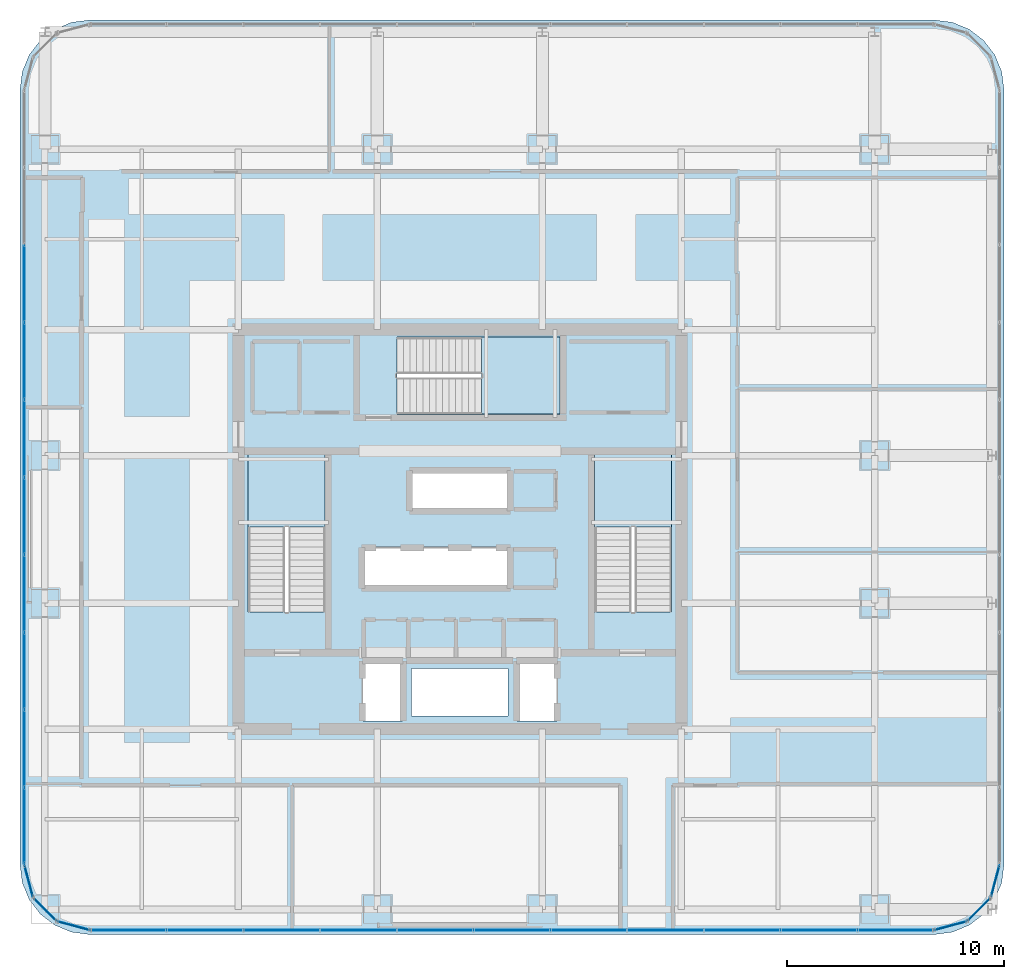
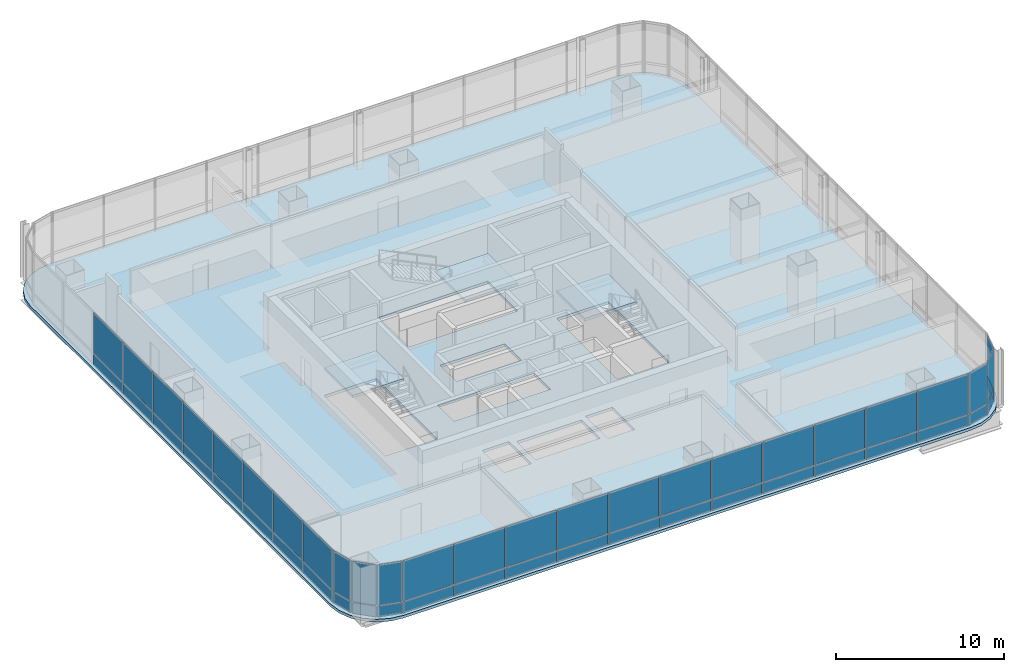
# One storey, part 31 of 42: 50 plates, 4 slabs, 11 elements without a shape of their own.
"""IFC4 building model written with IfcOpenShell, lengths in metres."""

from ifc_helpers import new_model, si_unit, direction, frame, origin, origin_2d, place, context, subcontext, project, spatial, polyline, rectangle, outline, extrude, material, layer, layer_set, type_object, element, aggregate, save


model = new_model("IFC4")

# Units and contexts
model_context = context("Model", 3, precision=1e-05, world=origin(), true_north=direction((0.0, 1.0)))
body_context = subcontext(model_context, "Body", "Model", "MODEL_VIEW")
ifc_project = project(units=[si_unit("LENGTHUNIT", "METRE"), si_unit("AREAUNIT", "SQUARE_METRE"), si_unit("VOLUMEUNIT", "CUBIC_METRE"), si_unit("PLANEANGLEUNIT", "RADIAN"), si_unit("MASSUNIT", "GRAM", prefix="KILO")], contexts=[model_context])

# Site, building, storey
site_placement = place(None, origin())
site = spatial("IfcSite", under=ifc_project, at=site_placement, CompositionType="ELEMENT")
building_placement = place(site_placement, origin())
building = spatial("IfcBuilding", under=site, at=building_placement, Name="Punatoya Terracotta Tower", CompositionType="ELEMENT")
storey_placement = place(building_placement, frame((0.0, 0.0, 263.550048828125)))
storey = spatial("IfcBuildingStorey", under=building, at=storey_placement, Name="L62", CompositionType="ELEMENT", Elevation=263.550048828125)

# Curtain wall, plates
ifc_material_1 = material(Name="Aluminium 6063-T6 + Double Low-E Glass", Category="aluminium")
curtain_wall_type = type_object("IfcCurtainWallType", Name="CW-M3", PredefinedType="NOTDEFINED", material=ifc_material_1)
curtain_wall_1_placement = place(storey_placement, origin())
curtain_wall_1 = element("IfcCurtainWall", 1, at=curtain_wall_1_placement, inside=storey, type_object=curtain_wall_type, Name="L62 Curtain Wall CW-L62-S01-1", PredefinedType="NOTDEFINED")
ifc_material_2 = material(Name="Double Low-E Acoustic Vision Glass", Category="glass")
ifc_layer_1 = layer(ifc_material_2, 0.031982421875)
ifc_layer_set_1 = layer_set([ifc_layer_1], Name="Double Low-E Acoustic Vision Glass")
plate_type_1 = type_object("IfcPlateType", Name="PLT-GLZ-32", PredefinedType="CURTAIN_PANEL", material=ifc_layer_set_1)
plate_1_placement = place(storey_placement, frame((-15.27001953125, -18.449951171875, 0.889892578125), z_axis=(0.0, 0.0, 1.0), x_axis=(1.0, 0.0, 0.0)))
plate_1 = element("IfcPlate", 2, at=plate_1_placement, type_object=plate_type_1, Name="CW-L62-S01-1 Vision Glass Panel 1", PredefinedType="CURTAIN_PANEL", context=body_context, shape_type="SweptSolid", body=[
    extrude(rectangle(XDim=3.448974609375, YDim=0.031982421875, at=origin_2d()), origin(), (0.0, 0.0, 1.0), 2.919921875),
])
plate_2_placement = place(storey_placement, frame((-11.73583984375, -18.449951171875, 0.889892578125), z_axis=(0.0, 0.0, 1.0), x_axis=(1.0, 0.0, 0.0)))
plate_2 = element("IfcPlate", 3, at=plate_2_placement, type_object=plate_type_1, Name="CW-L62-S01-1 Vision Glass Panel 2", PredefinedType="CURTAIN_PANEL", context=body_context, shape_type="SweptSolid", body=[
    extrude(rectangle(XDim=3.448974609375, YDim=0.031982421875, at=origin_2d()), origin(), (0.0, 0.0, 1.0), 2.919921875),
])
plate_3_placement = place(storey_placement, frame((-8.201904296875, -18.449951171875, 0.889892578125), z_axis=(0.0, 0.0, 1.0), x_axis=(1.0, 0.0, 0.0)))
plate_3 = element("IfcPlate", 4, at=plate_3_placement, type_object=plate_type_1, Name="CW-L62-S01-1 Vision Glass Panel 3", PredefinedType="CURTAIN_PANEL", context=body_context, shape_type="SweptSolid", body=[
    extrude(rectangle(XDim=3.448974609375, YDim=0.031982421875, at=origin_2d()), origin(), (0.0, 0.0, 1.0), 2.919921875),
])
plate_4_placement = place(storey_placement, frame((-4.66796875, -18.449951171875, 0.889892578125), z_axis=(0.0, 0.0, 1.0), x_axis=(1.0, 0.0, 0.0)))
plate_4 = element("IfcPlate", 5, at=plate_4_placement, type_object=plate_type_1, Name="CW-L62-S01-1 Vision Glass Panel 4", PredefinedType="CURTAIN_PANEL", context=body_context, shape_type="SweptSolid", body=[
    extrude(rectangle(XDim=3.448974609375, YDim=0.031982421875, at=origin_2d()), origin(), (0.0, 0.0, 1.0), 2.919921875),
])
plate_5_placement = place(storey_placement, frame((-1.134033203125, -18.449951171875, 0.889892578125), z_axis=(0.0, 0.0, 1.0), x_axis=(1.0, 0.0, 0.0)))
plate_5 = element("IfcPlate", 6, at=plate_5_placement, type_object=plate_type_1, Name="CW-L62-S01-1 Vision Glass Panel 5", PredefinedType="CURTAIN_PANEL", context=body_context, shape_type="SweptSolid", body=[
    extrude(rectangle(XDim=3.448974609375, YDim=0.031982421875, at=origin_2d()), origin(), (0.0, 0.0, 1.0), 2.919921875),
])
plate_6_placement = place(storey_placement, frame((2.39990234375, -18.449951171875, 0.889892578125), z_axis=(0.0, 0.0, 1.0), x_axis=(1.0, 0.0, 0.0)))
plate_6 = element("IfcPlate", 7, at=plate_6_placement, type_object=plate_type_1, Name="CW-L62-S01-1 Vision Glass Panel 6", PredefinedType="CURTAIN_PANEL", context=body_context, shape_type="SweptSolid", body=[
    extrude(rectangle(XDim=3.448974609375, YDim=0.031982421875, at=origin_2d()), origin(), (0.0, 0.0, 1.0), 2.919921875),
])
plate_7_placement = place(storey_placement, frame((5.93408203125, -18.449951171875, 0.889892578125), z_axis=(0.0, 0.0, 1.0), x_axis=(1.0, 0.0, 0.0)))
plate_7 = element("IfcPlate", 8, at=plate_7_placement, type_object=plate_type_1, Name="CW-L62-S01-1 Vision Glass Panel 7", PredefinedType="CURTAIN_PANEL", context=body_context, shape_type="SweptSolid", body=[
    extrude(rectangle(XDim=3.448974609375, YDim=0.031982421875, at=origin_2d()), origin(), (0.0, 0.0, 1.0), 2.919921875),
])
plate_8_placement = place(storey_placement, frame((9.468017578125, -18.449951171875, 0.889892578125), z_axis=(0.0, 0.0, 1.0), x_axis=(1.0, 0.0, 0.0)))
plate_8 = element("IfcPlate", 9, at=plate_8_placement, type_object=plate_type_1, Name="CW-L62-S01-1 Vision Glass Panel 8", PredefinedType="CURTAIN_PANEL", context=body_context, shape_type="SweptSolid", body=[
    extrude(rectangle(XDim=3.448974609375, YDim=0.031982421875, at=origin_2d()), origin(), (0.0, 0.0, 1.0), 2.919921875),
])
plate_9_placement = place(storey_placement, frame((13.001953125, -18.449951171875, 0.889892578125), z_axis=(0.0, 0.0, 1.0), x_axis=(1.0, 0.0, 0.0)))
plate_9 = element("IfcPlate", 10, at=plate_9_placement, type_object=plate_type_1, Name="CW-L62-S01-1 Vision Glass Panel 9", PredefinedType="CURTAIN_PANEL", context=body_context, shape_type="SweptSolid", body=[
    extrude(rectangle(XDim=3.448974609375, YDim=0.031982421875, at=origin_2d()), origin(), (0.0, 0.0, 1.0), 2.919921875),
])
plate_10_placement = place(storey_placement, frame((16.535888671875, -18.449951171875, 0.889892578125), z_axis=(0.0, 0.0, 1.0), x_axis=(1.0, 0.0, 0.0)))
plate_10 = element("IfcPlate", 11, at=plate_10_placement, type_object=plate_type_1, Name="CW-L62-S01-1 Vision Glass Panel 10", PredefinedType="CURTAIN_PANEL", context=body_context, shape_type="SweptSolid", body=[
    extrude(rectangle(XDim=3.448974609375, YDim=0.031982421875, at=origin_2d()), origin(), (0.0, 0.0, 1.0), 2.919921875),
])
plate_11_placement = place(storey_placement, frame((20.06982421875, -18.449951171875, 0.889892578125), z_axis=(0.0, 0.0, 1.0), x_axis=(1.0, 0.0, 0.0)))
plate_11 = element("IfcPlate", 12, at=plate_11_placement, type_object=plate_type_1, Name="CW-L62-S01-1 Vision Glass Panel 11", PredefinedType="CURTAIN_PANEL", context=body_context, shape_type="SweptSolid", body=[
    extrude(rectangle(XDim=3.448974609375, YDim=0.031982421875, at=origin_2d()), origin(), (0.0, 0.0, 1.0), 2.919921875),
])

# Curtain wall, plate
curtain_wall_2_placement = place(storey_placement, origin())
curtain_wall_2 = element("IfcCurtainWall", 13, at=curtain_wall_2_placement, inside=storey, type_object=curtain_wall_type, Name="L62 Curtain Wall CW-L62-CRN02", PredefinedType="NOTDEFINED")
plate_12_placement = place(storey_placement, frame((22.593017578125, -18.248291015625, 0.889892578125), z_axis=(0.0, 0.0, 1.0), x_axis=(0.966213877436, 0.257741620719, 0.0)))
plate_12 = element("IfcPlate", 14, at=plate_12_placement, type_object=plate_type_1, Name="CW-L62-CRN02 Vision Glass Panel 1", PredefinedType="CURTAIN_PANEL", context=body_context, shape_type="SweptSolid", body=[
    extrude(rectangle(XDim=1.47998046875, YDim=0.031982421875, at=origin_2d()), origin(), (0.0, 0.0, 1.0), 2.919921875),
])

curtain_wall_3_placement = place(storey_placement, origin())
curtain_wall_3 = element("IfcCurtainWall", 15, at=curtain_wall_3_placement, inside=storey, type_object=curtain_wall_type, Name="L62 Curtain Wall CW-L62-CRN03", PredefinedType="NOTDEFINED")
plate_13_placement = place(storey_placement, frame((23.89794921875, -17.497802734375, 0.889892578125), z_axis=(0.0, 0.0, 1.0), x_axis=(0.707106781187, 0.707106781187, 0.0)))
plate_13 = element("IfcPlate", 16, at=plate_13_placement, type_object=plate_type_1, Name="CW-L62-CRN03 Vision Glass Panel 1", PredefinedType="CURTAIN_PANEL", context=body_context, shape_type="SweptSolid", body=[
    extrude(rectangle(XDim=1.467041015625, YDim=0.031982421875, at=origin_2d()), origin(), (0.0, 0.0, 1.0), 2.919921875),
])

curtain_wall_4_placement = place(storey_placement, origin())
curtain_wall_4 = element("IfcCurtainWall", 17, at=curtain_wall_4_placement, inside=storey, type_object=curtain_wall_type, Name="L62 Curtain Wall CW-L62-CRN04", PredefinedType="NOTDEFINED")
plate_14_placement = place(storey_placement, frame((24.648193359375, -16.193115234375, 0.889892578125), z_axis=(0.0, 0.0, 1.0), x_axis=(0.257741620719, 0.966213877436, 0.0)))
plate_14 = element("IfcPlate", 18, at=plate_14_placement, type_object=plate_type_1, Name="CW-L62-CRN04 Vision Glass Panel 1", PredefinedType="CURTAIN_PANEL", context=body_context, shape_type="SweptSolid", body=[
    extrude(rectangle(XDim=1.47998046875, YDim=0.031982421875, at=origin_2d()), origin(), (0.0, 0.0, 1.0), 2.919921875),
])

# Curtain wall, plates
curtain_wall_5_placement = place(storey_placement, origin())
curtain_wall_5 = element("IfcCurtainWall", 19, at=curtain_wall_5_placement, inside=storey, type_object=curtain_wall_type, Name="L62 Curtain Wall CW-L62-W13-1", PredefinedType="NOTDEFINED")
plate_15_placement = place(storey_placement, frame((-20.050048828125, 11.318359375, 0.889892578125), z_axis=(0.0, 0.0, 1.0), x_axis=(0.0, -1.0, 0.0)))
plate_15 = element("IfcPlate", 20, at=plate_15_placement, type_object=plate_type_1, Name="CW-L62-W13-1 Vision Glass Panel 3", PredefinedType="CURTAIN_PANEL", context=body_context, shape_type="SweptSolid", body=[
    extrude(rectangle(XDim=3.482421875, YDim=0.031982421875, at=origin_2d()), origin(), (0.0, 0.0, 1.0), 2.919921875),
])
plate_16_placement = place(storey_placement, frame((-20.050048828125, 7.751220703125, 0.889892578125), z_axis=(0.0, 0.0, 1.0), x_axis=(0.0, -1.0, 0.0)))
plate_16 = element("IfcPlate", 21, at=plate_16_placement, type_object=plate_type_1, Name="CW-L62-W13-1 Vision Glass Panel 4", PredefinedType="CURTAIN_PANEL", context=body_context, shape_type="SweptSolid", body=[
    extrude(rectangle(XDim=3.482421875, YDim=0.031982421875, at=origin_2d()), origin(), (0.0, 0.0, 1.0), 2.919921875),
])
plate_17_placement = place(storey_placement, frame((-20.050048828125, 4.18359375, 0.889892578125), z_axis=(0.0, 0.0, 1.0), x_axis=(0.0, -1.0, 0.0)))
plate_17 = element("IfcPlate", 22, at=plate_17_placement, type_object=plate_type_1, Name="CW-L62-W13-1 Vision Glass Panel 5", PredefinedType="CURTAIN_PANEL", context=body_context, shape_type="SweptSolid", body=[
    extrude(rectangle(XDim=3.482421875, YDim=0.031982421875, at=origin_2d()), origin(), (0.0, 0.0, 1.0), 2.919921875),
])
plate_18_placement = place(storey_placement, frame((-20.050048828125, 0.6162109375, 0.889892578125), z_axis=(0.0, 0.0, 1.0), x_axis=(0.0, -1.0, 0.0)))
plate_18 = element("IfcPlate", 23, at=plate_18_placement, type_object=plate_type_1, Name="CW-L62-W13-1 Vision Glass Panel 6", PredefinedType="CURTAIN_PANEL", context=body_context, shape_type="SweptSolid", body=[
    extrude(rectangle(XDim=3.482421875, YDim=0.031982421875, at=origin_2d()), origin(), (0.0, 0.0, 1.0), 2.919921875),
])
plate_19_placement = place(storey_placement, frame((-20.050048828125, -2.951171875, 0.889892578125), z_axis=(0.0, 0.0, 1.0), x_axis=(0.0, -1.0, 0.0)))
plate_19 = element("IfcPlate", 24, at=plate_19_placement, type_object=plate_type_1, Name="CW-L62-W13-1 Vision Glass Panel 7", PredefinedType="CURTAIN_PANEL", context=body_context, shape_type="SweptSolid", body=[
    extrude(rectangle(XDim=3.482421875, YDim=0.031982421875, at=origin_2d()), origin(), (0.0, 0.0, 1.0), 2.919921875),
])
plate_20_placement = place(storey_placement, frame((-20.050048828125, -6.518310546875, 0.889892578125), z_axis=(0.0, 0.0, 1.0), x_axis=(0.0, -1.0, 0.0)))
plate_20 = element("IfcPlate", 25, at=plate_20_placement, type_object=plate_type_1, Name="CW-L62-W13-1 Vision Glass Panel 8", PredefinedType="CURTAIN_PANEL", context=body_context, shape_type="SweptSolid", body=[
    extrude(rectangle(XDim=3.482421875, YDim=0.031982421875, at=origin_2d()), origin(), (0.0, 0.0, 1.0), 2.919921875),
])
plate_21_placement = place(storey_placement, frame((-20.050048828125, -10.085693359375, 0.889892578125), z_axis=(0.0, 0.0, 1.0), x_axis=(0.0, -1.0, 0.0)))
plate_21 = element("IfcPlate", 26, at=plate_21_placement, type_object=plate_type_1, Name="CW-L62-W13-1 Vision Glass Panel 9", PredefinedType="CURTAIN_PANEL", context=body_context, shape_type="SweptSolid", body=[
    extrude(rectangle(XDim=3.482421875, YDim=0.031982421875, at=origin_2d()), origin(), (0.0, 0.0, 1.0), 2.919921875),
])
plate_22_placement = place(storey_placement, frame((-20.050048828125, -13.6533203125, 0.889892578125), z_axis=(0.0, 0.0, 1.0), x_axis=(0.0, -1.0, 0.0)))
plate_22 = element("IfcPlate", 27, at=plate_22_placement, type_object=plate_type_1, Name="CW-L62-W13-1 Vision Glass Panel 10", PredefinedType="CURTAIN_PANEL", context=body_context, shape_type="SweptSolid", body=[
    extrude(rectangle(XDim=3.482421875, YDim=0.031982421875, at=origin_2d()), origin(), (0.0, 0.0, 1.0), 2.919921875),
])

# Curtain wall, plate
curtain_wall_6_placement = place(storey_placement, origin())
curtain_wall_6 = element("IfcCurtainWall", 28, at=curtain_wall_6_placement, inside=storey, type_object=curtain_wall_type, Name="L62 Curtain Wall CW-L62-CRN14", PredefinedType="NOTDEFINED")
plate_23_placement = place(storey_placement, frame((-19.848388671875, -16.193115234375, 0.889892578125), z_axis=(0.0, 0.0, 1.0), x_axis=(0.257741620719, -0.966213877436, 0.0)))
plate_23 = element("IfcPlate", 29, at=plate_23_placement, type_object=plate_type_1, Name="CW-L62-CRN14 Vision Glass Panel 1", PredefinedType="CURTAIN_PANEL", context=body_context, shape_type="SweptSolid", body=[
    extrude(rectangle(XDim=1.47998046875, YDim=0.031982421875, at=origin_2d()), origin(), (0.0, 0.0, 1.0), 2.919921875),
])

curtain_wall_7_placement = place(storey_placement, origin())
curtain_wall_7 = element("IfcCurtainWall", 30, at=curtain_wall_7_placement, inside=storey, type_object=curtain_wall_type, Name="L62 Curtain Wall CW-L62-CRN15", PredefinedType="NOTDEFINED")
plate_24_placement = place(storey_placement, frame((-19.097900390625, -17.497802734375, 0.889892578125), z_axis=(0.0, 0.0, 1.0), x_axis=(0.707106781187, -0.707106781187, 0.0)))
plate_24 = element("IfcPlate", 31, at=plate_24_placement, type_object=plate_type_1, Name="CW-L62-CRN15 Vision Glass Panel 1", PredefinedType="CURTAIN_PANEL", context=body_context, shape_type="SweptSolid", body=[
    extrude(rectangle(XDim=1.467041015625, YDim=0.031982421875, at=origin_2d()), origin(), (0.0, 0.0, 1.0), 2.919921875),
])

curtain_wall_8_placement = place(storey_placement, origin())
curtain_wall_8 = element("IfcCurtainWall", 32, at=curtain_wall_8_placement, inside=storey, type_object=curtain_wall_type, Name="L62 Curtain Wall CW-L62-CRN16", PredefinedType="NOTDEFINED")
plate_25_placement = place(storey_placement, frame((-17.79296875, -18.248291015625, 0.889892578125), z_axis=(0.0, 0.0, 1.0), x_axis=(0.966213877436, -0.257741620719, 0.0)))
plate_25 = element("IfcPlate", 33, at=plate_25_placement, type_object=plate_type_1, Name="CW-L62-CRN16 Vision Glass Panel 1", PredefinedType="CURTAIN_PANEL", context=body_context, shape_type="SweptSolid", body=[
    extrude(rectangle(XDim=1.47998046875, YDim=0.031982421875, at=origin_2d()), origin(), (0.0, 0.0, 1.0), 2.919921875),
])

# Plate
ifc_material_3 = material(Name="Insulated Terracotta-Backed Spandrel Panel", Category="masonry")
ifc_layer_2 = layer(ifc_material_3, 0.044921875)
ifc_layer_set_2 = layer_set([ifc_layer_2], Name="Insulated Terracotta-Backed Spandrel Panel")
plate_type_2 = type_object("IfcPlateType", Name="PLT-SPN-45", PredefinedType="CURTAIN_PANEL", material=ifc_layer_set_2)
plate_26_placement = place(storey_placement, frame((-15.27001953125, -18.449951171875, 0.0400390625), z_axis=(0.0, 0.0, 1.0), x_axis=(1.0, 0.0, 0.0)))
plate_26 = element("IfcPlate", 34, at=plate_26_placement, type_object=plate_type_2, Name="CW-L62-S01-1 Terracotta Spandrel Panel 1", PredefinedType="CURTAIN_PANEL", context=body_context, shape_type="SweptSolid", body=[
    extrude(rectangle(XDim=3.448974609375, YDim=0.044921875, at=origin_2d()), origin(), (0.0, 0.0, 1.0), 0.77490234375),
])

plate_27_placement = place(storey_placement, frame((-11.73583984375, -18.449951171875, 0.0400390625), z_axis=(0.0, 0.0, 1.0), x_axis=(1.0, 0.0, 0.0)))
plate_27 = element("IfcPlate", 35, at=plate_27_placement, type_object=plate_type_2, Name="CW-L62-S01-1 Terracotta Spandrel Panel 2", PredefinedType="CURTAIN_PANEL", context=body_context, shape_type="SweptSolid", body=[
    extrude(rectangle(XDim=3.448974609375, YDim=0.044921875, at=origin_2d()), origin(), (0.0, 0.0, 1.0), 0.77490234375),
])

plate_28_placement = place(storey_placement, frame((-8.201904296875, -18.449951171875, 0.0400390625), z_axis=(0.0, 0.0, 1.0), x_axis=(1.0, 0.0, 0.0)))
plate_28 = element("IfcPlate", 36, at=plate_28_placement, type_object=plate_type_2, Name="CW-L62-S01-1 Terracotta Spandrel Panel 3", PredefinedType="CURTAIN_PANEL", context=body_context, shape_type="SweptSolid", body=[
    extrude(rectangle(XDim=3.448974609375, YDim=0.044921875, at=origin_2d()), origin(), (0.0, 0.0, 1.0), 0.77490234375),
])

plate_29_placement = place(storey_placement, frame((-4.66796875, -18.449951171875, 0.0400390625), z_axis=(0.0, 0.0, 1.0), x_axis=(1.0, 0.0, 0.0)))
plate_29 = element("IfcPlate", 37, at=plate_29_placement, type_object=plate_type_2, Name="CW-L62-S01-1 Terracotta Spandrel Panel 4", PredefinedType="CURTAIN_PANEL", context=body_context, shape_type="SweptSolid", body=[
    extrude(rectangle(XDim=3.448974609375, YDim=0.044921875, at=origin_2d()), origin(), (0.0, 0.0, 1.0), 0.77490234375),
])

plate_30_placement = place(storey_placement, frame((-1.134033203125, -18.449951171875, 0.0400390625), z_axis=(0.0, 0.0, 1.0), x_axis=(1.0, 0.0, 0.0)))
plate_30 = element("IfcPlate", 38, at=plate_30_placement, type_object=plate_type_2, Name="CW-L62-S01-1 Terracotta Spandrel Panel 5", PredefinedType="CURTAIN_PANEL", context=body_context, shape_type="SweptSolid", body=[
    extrude(rectangle(XDim=3.448974609375, YDim=0.044921875, at=origin_2d()), origin(), (0.0, 0.0, 1.0), 0.77490234375),
])

plate_31_placement = place(storey_placement, frame((2.39990234375, -18.449951171875, 0.0400390625), z_axis=(0.0, 0.0, 1.0), x_axis=(1.0, 0.0, 0.0)))
plate_31 = element("IfcPlate", 39, at=plate_31_placement, type_object=plate_type_2, Name="CW-L62-S01-1 Terracotta Spandrel Panel 6", PredefinedType="CURTAIN_PANEL", context=body_context, shape_type="SweptSolid", body=[
    extrude(rectangle(XDim=3.448974609375, YDim=0.044921875, at=origin_2d()), origin(), (0.0, 0.0, 1.0), 0.77490234375),
])

plate_32_placement = place(storey_placement, frame((5.93408203125, -18.449951171875, 0.0400390625), z_axis=(0.0, 0.0, 1.0), x_axis=(1.0, 0.0, 0.0)))
plate_32 = element("IfcPlate", 40, at=plate_32_placement, type_object=plate_type_2, Name="CW-L62-S01-1 Terracotta Spandrel Panel 7", PredefinedType="CURTAIN_PANEL", context=body_context, shape_type="SweptSolid", body=[
    extrude(rectangle(XDim=3.448974609375, YDim=0.044921875, at=origin_2d()), origin(), (0.0, 0.0, 1.0), 0.77490234375),
])

plate_33_placement = place(storey_placement, frame((9.468017578125, -18.449951171875, 0.0400390625), z_axis=(0.0, 0.0, 1.0), x_axis=(1.0, 0.0, 0.0)))
plate_33 = element("IfcPlate", 41, at=plate_33_placement, type_object=plate_type_2, Name="CW-L62-S01-1 Terracotta Spandrel Panel 8", PredefinedType="CURTAIN_PANEL", context=body_context, shape_type="SweptSolid", body=[
    extrude(rectangle(XDim=3.448974609375, YDim=0.044921875, at=origin_2d()), origin(), (0.0, 0.0, 1.0), 0.77490234375),
])

plate_34_placement = place(storey_placement, frame((13.001953125, -18.449951171875, 0.0400390625), z_axis=(0.0, 0.0, 1.0), x_axis=(1.0, 0.0, 0.0)))
plate_34 = element("IfcPlate", 42, at=plate_34_placement, type_object=plate_type_2, Name="CW-L62-S01-1 Terracotta Spandrel Panel 9", PredefinedType="CURTAIN_PANEL", context=body_context, shape_type="SweptSolid", body=[
    extrude(rectangle(XDim=3.448974609375, YDim=0.044921875, at=origin_2d()), origin(), (0.0, 0.0, 1.0), 0.77490234375),
])

plate_35_placement = place(storey_placement, frame((16.535888671875, -18.449951171875, 0.0400390625), z_axis=(0.0, 0.0, 1.0), x_axis=(1.0, 0.0, 0.0)))
plate_35 = element("IfcPlate", 43, at=plate_35_placement, type_object=plate_type_2, Name="CW-L62-S01-1 Terracotta Spandrel Panel 10", PredefinedType="CURTAIN_PANEL", context=body_context, shape_type="SweptSolid", body=[
    extrude(rectangle(XDim=3.448974609375, YDim=0.044921875, at=origin_2d()), origin(), (0.0, 0.0, 1.0), 0.77490234375),
])

plate_36_placement = place(storey_placement, frame((20.06982421875, -18.449951171875, 0.0400390625), z_axis=(0.0, 0.0, 1.0), x_axis=(1.0, 0.0, 0.0)))
plate_36 = element("IfcPlate", 44, at=plate_36_placement, type_object=plate_type_2, Name="CW-L62-S01-1 Terracotta Spandrel Panel 11", PredefinedType="CURTAIN_PANEL", context=body_context, shape_type="SweptSolid", body=[
    extrude(rectangle(XDim=3.448974609375, YDim=0.044921875, at=origin_2d()), origin(), (0.0, 0.0, 1.0), 0.77490234375),
])

aggregate(curtain_wall_1, [plate_26, plate_1, plate_27, plate_2, plate_28, plate_3, plate_29, plate_4, plate_30, plate_5, plate_31, plate_6, plate_32, plate_7, plate_33, plate_8, plate_34, plate_9, plate_35, plate_10, plate_36, plate_11])

plate_37_placement = place(storey_placement, frame((22.593017578125, -18.248291015625, 0.0400390625), z_axis=(0.0, 0.0, 1.0), x_axis=(0.966213877436, 0.257741620719, 0.0)))
plate_37 = element("IfcPlate", 45, at=plate_37_placement, type_object=plate_type_2, Name="CW-L62-CRN02 Terracotta Spandrel Panel 1", PredefinedType="CURTAIN_PANEL", context=body_context, shape_type="SweptSolid", body=[
    extrude(rectangle(XDim=1.47998046875, YDim=0.044921875, at=origin_2d()), origin(), (0.0, 0.0, 1.0), 0.77490234375),
])

aggregate(curtain_wall_2, [plate_37, plate_12])

plate_38_placement = place(storey_placement, frame((23.89794921875, -17.497802734375, 0.0400390625), z_axis=(0.0, 0.0, 1.0), x_axis=(0.707106781187, 0.707106781187, 0.0)))
plate_38 = element("IfcPlate", 46, at=plate_38_placement, type_object=plate_type_2, Name="CW-L62-CRN03 Terracotta Spandrel Panel 1", PredefinedType="CURTAIN_PANEL", context=body_context, shape_type="SweptSolid", body=[
    extrude(rectangle(XDim=1.467041015625, YDim=0.044921875, at=origin_2d()), origin(), (0.0, 0.0, 1.0), 0.77490234375),
])

aggregate(curtain_wall_3, [plate_38, plate_13])

plate_39_placement = place(storey_placement, frame((24.648193359375, -16.193115234375, 0.0400390625), z_axis=(0.0, 0.0, 1.0), x_axis=(0.257741620719, 0.966213877436, 0.0)))
plate_39 = element("IfcPlate", 47, at=plate_39_placement, type_object=plate_type_2, Name="CW-L62-CRN04 Terracotta Spandrel Panel 1", PredefinedType="CURTAIN_PANEL", context=body_context, shape_type="SweptSolid", body=[
    extrude(rectangle(XDim=1.47998046875, YDim=0.044921875, at=origin_2d()), origin(), (0.0, 0.0, 1.0), 0.77490234375),
])

aggregate(curtain_wall_4, [plate_39, plate_14])

plate_40_placement = place(storey_placement, frame((-20.050048828125, 11.318359375, 0.0400390625), z_axis=(0.0, 0.0, 1.0), x_axis=(0.0, -1.0, 0.0)))
plate_40 = element("IfcPlate", 48, at=plate_40_placement, type_object=plate_type_2, Name="CW-L62-W13-1 Terracotta Spandrel Panel 3", PredefinedType="CURTAIN_PANEL", context=body_context, shape_type="SweptSolid", body=[
    extrude(rectangle(XDim=3.482421875, YDim=0.044921875, at=origin_2d()), origin(), (0.0, 0.0, 1.0), 0.77490234375),
])

plate_41_placement = place(storey_placement, frame((-20.050048828125, 7.751220703125, 0.0400390625), z_axis=(0.0, 0.0, 1.0), x_axis=(0.0, -1.0, 0.0)))
plate_41 = element("IfcPlate", 49, at=plate_41_placement, type_object=plate_type_2, Name="CW-L62-W13-1 Terracotta Spandrel Panel 4", PredefinedType="CURTAIN_PANEL", context=body_context, shape_type="SweptSolid", body=[
    extrude(rectangle(XDim=3.482421875, YDim=0.044921875, at=origin_2d()), origin(), (0.0, 0.0, 1.0), 0.77490234375),
])

plate_42_placement = place(storey_placement, frame((-20.050048828125, 4.18359375, 0.0400390625), z_axis=(0.0, 0.0, 1.0), x_axis=(0.0, -1.0, 0.0)))
plate_42 = element("IfcPlate", 50, at=plate_42_placement, type_object=plate_type_2, Name="CW-L62-W13-1 Terracotta Spandrel Panel 5", PredefinedType="CURTAIN_PANEL", context=body_context, shape_type="SweptSolid", body=[
    extrude(rectangle(XDim=3.482421875, YDim=0.044921875, at=origin_2d()), origin(), (0.0, 0.0, 1.0), 0.77490234375),
])

plate_43_placement = place(storey_placement, frame((-20.050048828125, 0.6162109375, 0.0400390625), z_axis=(0.0, 0.0, 1.0), x_axis=(0.0, -1.0, 0.0)))
plate_43 = element("IfcPlate", 51, at=plate_43_placement, type_object=plate_type_2, Name="CW-L62-W13-1 Terracotta Spandrel Panel 6", PredefinedType="CURTAIN_PANEL", context=body_context, shape_type="SweptSolid", body=[
    extrude(rectangle(XDim=3.482421875, YDim=0.044921875, at=origin_2d()), origin(), (0.0, 0.0, 1.0), 0.77490234375),
])

plate_44_placement = place(storey_placement, frame((-20.050048828125, -2.951171875, 0.0400390625), z_axis=(0.0, 0.0, 1.0), x_axis=(0.0, -1.0, 0.0)))
plate_44 = element("IfcPlate", 52, at=plate_44_placement, type_object=plate_type_2, Name="CW-L62-W13-1 Terracotta Spandrel Panel 7", PredefinedType="CURTAIN_PANEL", context=body_context, shape_type="SweptSolid", body=[
    extrude(rectangle(XDim=3.482421875, YDim=0.044921875, at=origin_2d()), origin(), (0.0, 0.0, 1.0), 0.77490234375),
])

plate_45_placement = place(storey_placement, frame((-20.050048828125, -6.518310546875, 0.0400390625), z_axis=(0.0, 0.0, 1.0), x_axis=(0.0, -1.0, 0.0)))
plate_45 = element("IfcPlate", 53, at=plate_45_placement, type_object=plate_type_2, Name="CW-L62-W13-1 Terracotta Spandrel Panel 8", PredefinedType="CURTAIN_PANEL", context=body_context, shape_type="SweptSolid", body=[
    extrude(rectangle(XDim=3.482421875, YDim=0.044921875, at=origin_2d()), origin(), (0.0, 0.0, 1.0), 0.77490234375),
])

plate_46_placement = place(storey_placement, frame((-20.050048828125, -10.085693359375, 0.0400390625), z_axis=(0.0, 0.0, 1.0), x_axis=(0.0, -1.0, 0.0)))
plate_46 = element("IfcPlate", 54, at=plate_46_placement, type_object=plate_type_2, Name="CW-L62-W13-1 Terracotta Spandrel Panel 9", PredefinedType="CURTAIN_PANEL", context=body_context, shape_type="SweptSolid", body=[
    extrude(rectangle(XDim=3.482421875, YDim=0.044921875, at=origin_2d()), origin(), (0.0, 0.0, 1.0), 0.77490234375),
])

plate_47_placement = place(storey_placement, frame((-20.050048828125, -13.6533203125, 0.0400390625), z_axis=(0.0, 0.0, 1.0), x_axis=(0.0, -1.0, 0.0)))
plate_47 = element("IfcPlate", 55, at=plate_47_placement, type_object=plate_type_2, Name="CW-L62-W13-1 Terracotta Spandrel Panel 10", PredefinedType="CURTAIN_PANEL", context=body_context, shape_type="SweptSolid", body=[
    extrude(rectangle(XDim=3.482421875, YDim=0.044921875, at=origin_2d()), origin(), (0.0, 0.0, 1.0), 0.77490234375),
])

aggregate(curtain_wall_5, [plate_40, plate_15, plate_41, plate_16, plate_42, plate_17, plate_43, plate_18, plate_44, plate_19, plate_45, plate_20, plate_46, plate_21, plate_47, plate_22])

plate_48_placement = place(storey_placement, frame((-19.848388671875, -16.193115234375, 0.0400390625), z_axis=(0.0, 0.0, 1.0), x_axis=(0.257741620719, -0.966213877436, 0.0)))
plate_48 = element("IfcPlate", 56, at=plate_48_placement, type_object=plate_type_2, Name="CW-L62-CRN14 Terracotta Spandrel Panel 1", PredefinedType="CURTAIN_PANEL", context=body_context, shape_type="SweptSolid", body=[
    extrude(rectangle(XDim=1.47998046875, YDim=0.044921875, at=origin_2d()), origin(), (0.0, 0.0, 1.0), 0.77490234375),
])

aggregate(curtain_wall_6, [plate_48, plate_23])

plate_49_placement = place(storey_placement, frame((-19.097900390625, -17.497802734375, 0.0400390625), z_axis=(0.0, 0.0, 1.0), x_axis=(0.707106781187, -0.707106781187, 0.0)))
plate_49 = element("IfcPlate", 57, at=plate_49_placement, type_object=plate_type_2, Name="CW-L62-CRN15 Terracotta Spandrel Panel 1", PredefinedType="CURTAIN_PANEL", context=body_context, shape_type="SweptSolid", body=[
    extrude(rectangle(XDim=1.467041015625, YDim=0.044921875, at=origin_2d()), origin(), (0.0, 0.0, 1.0), 0.77490234375),
])

aggregate(curtain_wall_7, [plate_49, plate_24])

plate_50_placement = place(storey_placement, frame((-17.79296875, -18.248291015625, 0.0400390625), z_axis=(0.0, 0.0, 1.0), x_axis=(0.966213877436, -0.257741620719, 0.0)))
plate_50 = element("IfcPlate", 58, at=plate_50_placement, type_object=plate_type_2, Name="CW-L62-CRN16 Terracotta Spandrel Panel 1", PredefinedType="CURTAIN_PANEL", context=body_context, shape_type="SweptSolid", body=[
    extrude(rectangle(XDim=1.47998046875, YDim=0.044921875, at=origin_2d()), origin(), (0.0, 0.0, 1.0), 0.77490234375),
])

aggregate(curtain_wall_8, [plate_50, plate_25])

# Stair, slab
ifc_material_4 = material(Name="Concrete C40/50", Category="concrete")
stair_type_1 = type_object("IfcStairType", Name="STR-TER-1450", PredefinedType="HALF_TURN_STAIR", material=ifc_material_4)
stair_1_placement = place(storey_placement, origin())
stair_1 = element("IfcStair", 59, at=stair_1_placement, inside=storey, type_object=stair_type_1, Name="L62 Protected Core Exit Stair ST-3", PredefinedType="HALF_TURN_STAIR")
ifc_layer_3 = layer(ifc_material_4, 0.1650390625)
ifc_layer_set_3 = layer_set([ifc_layer_3], Name="Concrete C40/50")
slab_type_1 = type_object("IfcSlabType", Name="SLB-LND-165", PredefinedType="LANDING", material=ifc_layer_set_3)
slab_1_placement = place(storey_placement, frame((0.0, 0.0, 1.824951171875)))
slab_1 = element("IfcSlab", 60, at=slab_1_placement, type_object=slab_type_1, Name="ST-3 landing 1", PredefinedType="LANDING", context=body_context, shape_type="SweptSolid", body=[
    extrude(outline(polyline([(1.0, 5.300048828125), (4.60009765625, 5.300048828125), (4.60009765625, 8.85009765625), (1.0, 8.85009765625), (1.0, 5.300048828125)])), origin(), (0.0, 0.0, 1.0), 0.199951171875),
])
aggregate(stair_1, [slab_1])

stair_type_2 = type_object("IfcStairType", Name="STR-CORE-1550", PredefinedType="HALF_TURN_STAIR", material=ifc_material_4)
stair_2_placement = place(storey_placement, origin())
stair_2 = element("IfcStair", 61, at=stair_2_placement, inside=storey, type_object=stair_type_2, Name="L62 Protected Core Exit Stair ST-1", PredefinedType="HALF_TURN_STAIR")
ifc_layer_4 = layer(ifc_material_4, 0.179931640625)
ifc_layer_set_4 = layer_set([ifc_layer_4], Name="Concrete C40/50")
slab_type_2 = type_object("IfcSlabType", Name="SLB-LND-180", PredefinedType="LANDING", material=ifc_layer_set_4)
slab_2_placement = place(storey_placement, frame((0.0, 0.0, 1.824951171875)))
slab_2 = element("IfcSlab", 62, at=slab_2_placement, type_object=slab_type_2, Name="ST-1 landing 1", PredefinedType="LANDING", context=body_context, shape_type="SweptSolid", body=[
    extrude(outline(polyline([(-6.199951171875, 0.10009765625), (-6.199951171875, 3.449951171875), (-9.75, 3.449951171875), (-9.75, 0.10009765625), (-6.199951171875, 0.10009765625)])), origin(), (0.0, 0.0, 1.0), 0.199951171875),
])
aggregate(stair_2, [slab_2])

stair_type_3 = type_object("IfcStairType", Name="STR-LOB-1650", PredefinedType="HALF_TURN_STAIR", material=ifc_material_4)
stair_3_placement = place(storey_placement, origin())
stair_3 = element("IfcStair", 63, at=stair_3_placement, inside=storey, type_object=stair_type_3, Name="L62 Protected Core Exit Stair ST-2", PredefinedType="HALF_TURN_STAIR")
slab_3_placement = place(storey_placement, frame((0.0, 0.0, 1.824951171875)))
slab_3 = element("IfcSlab", 64, at=slab_3_placement, type_object=slab_type_2, Name="ST-2 landing 1", PredefinedType="LANDING", context=body_context, shape_type="SweptSolid", body=[
    extrude(outline(polyline([(9.75, 0.10009765625), (9.75, 3.449951171875), (6.199951171875, 3.449951171875), (6.199951171875, 0.10009765625), (9.75, 0.10009765625)])), origin(), (0.0, 0.0, 1.0), 0.199951171875),
])
aggregate(stair_3, [slab_3])

# Slab
ifc_layer_5 = layer(ifc_material_4, 0.199951171875)
ifc_layer_set_5 = layer_set([ifc_layer_5], Name="Concrete C40/50")
slab_type_3 = type_object("IfcSlabType", Name="SLB-OFF-200", PredefinedType="FLOOR", material=ifc_layer_set_5)
slab_4_placement = place(storey_placement, frame((0.0, 0.0, -0.199951171875)))
element("IfcSlab", 65, at=slab_4_placement, inside=storey, type_object=slab_type_3, Name="L62 Structural Floor Slab", PredefinedType="FLOOR", context=body_context, shape_type="SweptSolid", body=[
    extrude(outline(polyline([(-17.050048828125, -18.64990234375), (-17.878173828125, -18.541015625), (-18.64990234375, -18.22119140625), (-19.312744140625, -17.712646484375), (-19.8212890625, -17.050048828125), (-20.14111328125, -16.2783203125), (-20.25, -15.449951171875), (-20.25, 20.25), (-20.14111328125, 21.078125), (-19.8212890625, 21.85009765625), (-19.312744140625, 22.5126953125), (-18.64990234375, 23.021240234375), (-17.878173828125, 23.341064453125), (-17.050048828125, 23.449951171875), (21.85009765625, 23.449951171875), (22.67822265625, 23.341064453125), (23.449951171875, 23.021240234375), (24.11279296875, 22.5126953125), (24.621337890625, 21.85009765625), (24.94091796875, 21.078125), (25.050048828125, 20.25), (25.050048828125, -15.449951171875), (24.94091796875, -16.2783203125), (24.621337890625, -17.050048828125), (24.11279296875, -17.712646484375), (23.449951171875, -18.22119140625), (22.67822265625, -18.541015625), (21.85009765625, -18.64990234375), (-17.050048828125, -18.64990234375)]), holes=[polyline([(-2.6298828125, -6.179931640625), (-4.469970703125, -6.179931640625), (-4.469970703125, -8.820068359375), (-2.6298828125, -8.820068359375), (-2.6298828125, -6.179931640625)]), polyline([(0.02001953125, -8.594970703125), (2.219970703125, -8.594970703125), (2.219970703125, -6.405029296875), (0.02001953125, -6.405029296875), (-0.02001953125, -6.405029296875), (-2.219970703125, -6.405029296875), (-2.219970703125, -8.594970703125), (-0.02001953125, -8.594970703125), (0.02001953125, -8.594970703125)]), polyline([(-2.219970703125, -2.719970703125), (-2.179931640625, -2.719970703125), (-0.02001953125, -2.719970703125), (0.02001953125, -2.719970703125), (2.219970703125, -2.719970703125), (2.219970703125, -0.780029296875), (0.02001953125, -0.780029296875), (-0.02001953125, -0.780029296875), (-2.179931640625, -0.780029296875), (-2.219970703125, -0.780029296875), (-4.419921875, -0.780029296875), (-4.419921875, -2.719970703125), (-2.219970703125, -2.719970703125)]), polyline([(-6.199951171875, 3.449951171875), (-9.75, 3.449951171875), (-9.75, -3.79931640625), (-6.199951171875, -3.79931640625), (-6.199951171875, 3.449951171875)]), polyline([(0.02001953125, 0.780029296875), (2.219970703125, 0.780029296875), (2.219970703125, 2.719970703125), (0.02001953125, 2.719970703125), (-0.02001953125, 2.719970703125), (-2.219970703125, 2.719970703125), (-2.219970703125, 0.780029296875), (-0.02001953125, 0.780029296875), (0.02001953125, 0.780029296875)]), polyline([(4.469970703125, -8.820068359375), (4.469970703125, -6.179931640625), (2.6298828125, -6.179931640625), (2.6298828125, -8.820068359375), (4.469970703125, -8.820068359375)]), polyline([(6.199951171875, 3.449951171875), (6.199951171875, -3.79931640625), (9.75, -3.79931640625), (9.75, 3.449951171875), (6.199951171875, 3.449951171875)]), polyline([(4.60009765625, 5.300048828125), (4.60009765625, 8.85009765625), (-2.899169921875, 8.85009765625), (-2.899169921875, 5.300048828125), (4.60009765625, 5.300048828125)])]), origin(), (0.0, 0.0, 1.0), 0.199951171875),
])

save(model, "model.ifc")
